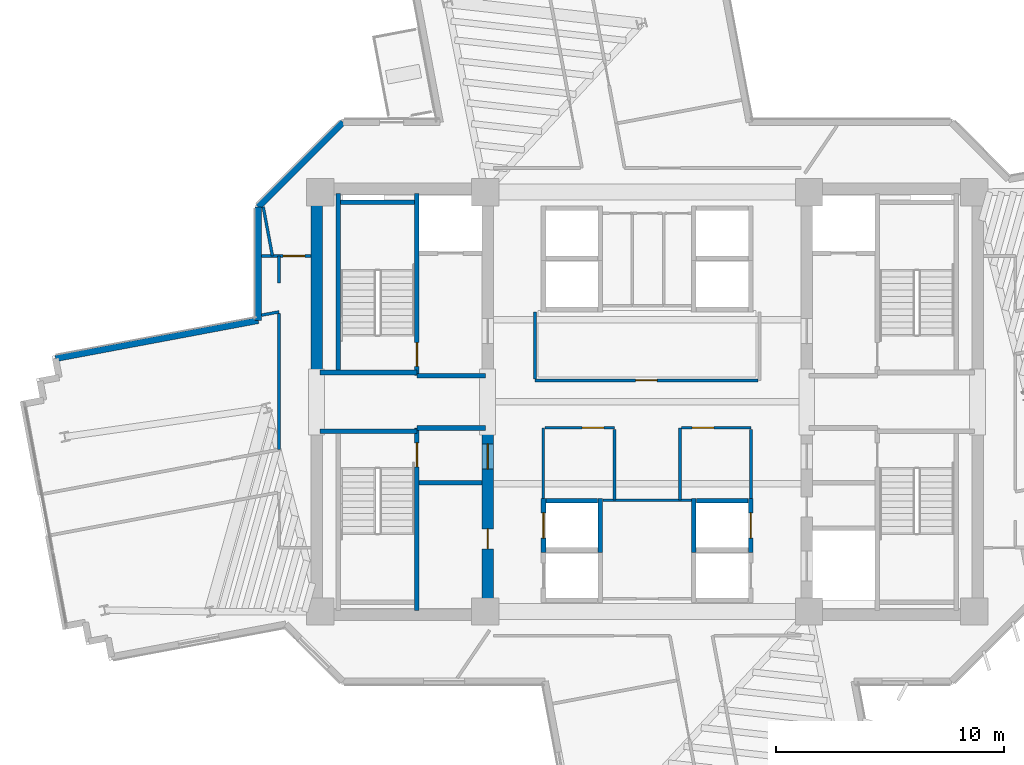
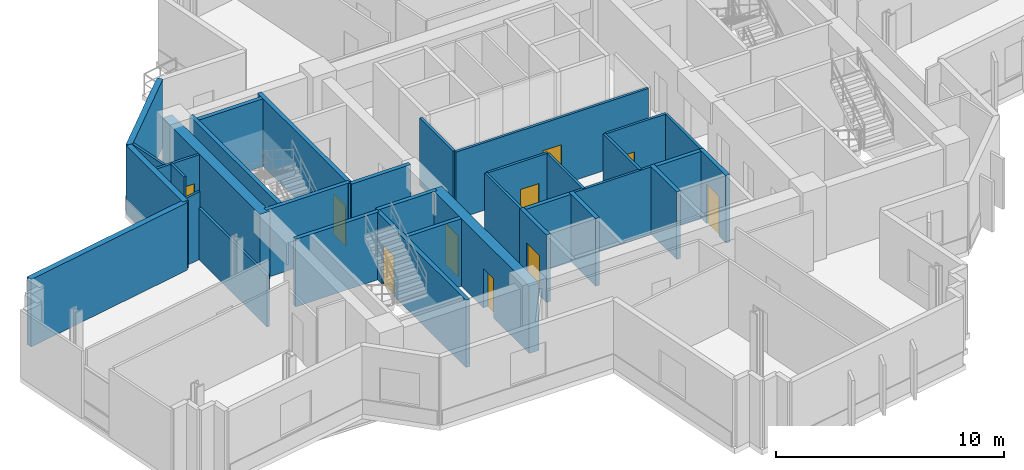
# One storey, part 9 of 16: 34 walls, 10 doors, 10 openings.
"""IFC4 building model written with IfcOpenShell, lengths in metres."""

from ifc_helpers import new_model, si_unit, direction, frame, frame_2d, origin, place, context, subcontext, project, spatial, rectangle, extrude, source, transform, mapped, material, layer, layer_set, type_object, element, fill, save


model = new_model("IFC4")

# Units and contexts
model_context = context("Model", 3, precision=1e-05, world=origin(), true_north=direction((0.0, 1.0)))
body_context = subcontext(model_context, "Body", "Model", "MODEL_VIEW")
ifc_project = project(units=[si_unit("LENGTHUNIT", "METRE"), si_unit("AREAUNIT", "SQUARE_METRE"), si_unit("VOLUMEUNIT", "CUBIC_METRE"), si_unit("PLANEANGLEUNIT", "RADIAN"), si_unit("MASSUNIT", "GRAM", prefix="KILO")], contexts=[model_context])

# Site, building, storey
site_placement = place(None, origin())
site = spatial("IfcSite", under=ifc_project, at=site_placement, CompositionType="ELEMENT")
building_placement = place(site_placement, origin())
building = spatial("IfcBuilding", under=site, at=building_placement, Name="Zahravan Cultural Tower", CompositionType="ELEMENT")
storey_placement = place(building_placement, frame((0.0, 0.0, 151.199951171875)))
storey = spatial("IfcBuildingStorey", under=building, at=storey_placement, Name="L34", CompositionType="ELEMENT", Elevation=151.199951171875)

# Wall, openings, doors
ifc_material_1 = material(Name="Concrete C60/75", Category="concrete")
ifc_layer_1 = layer(ifc_material_1, 0.5)
ifc_layer_set_1 = layer_set([ifc_layer_1], Name="Concrete C60/75")
wall_type_1 = type_object("IfcWallType", Name="CW-SHEAR-500-C60", PredefinedType="SHEAR", material=ifc_layer_set_1)
wall_1_placement = place(storey_placement, frame((29.0, 17.39990234375, 0.0), z_axis=(0.0, 0.0, 1.0), x_axis=(0.0, 1.0, 0.0)))
wall_1 = element("IfcWall", 1, at=wall_1_placement, inside=storey, type_object=wall_type_1, Name="L34 Core Shear Wall CW-W-ES-L34", PredefinedType="SHEAR", context=body_context, shape_type="SweptSolid", body=[
    extrude(rectangle(XDim=8.550048828125, YDim=0.5, at=frame_2d((4.27490234375, 0.0))), origin(), (0.0, 0.0, 1.0), 3.6201171875),
])
opening_1_placement = place(wall_1_placement, frame((6.64990234375, 0.0, 0.0)))
opening_1 = element("IfcOpeningElement", 2, at=opening_1_placement, cuts=wall_1, Name="Opening D-L34-07", PredefinedType="OPENING", context=body_context, shape_type="SweptSolid", body=[
    extrude(rectangle(XDim=1.10009765625, YDim=2.199951171875, at=frame_2d((0.550048828125, 1.10009765625))), frame((0.0, 0.260009765625, 0.0), z_axis=(0.0, -1.0, 0.0), x_axis=(1.0, 0.0, 0.0)), (0.0, 0.0, 1.0), 0.52001953125),
])
opening_2_placement = place(wall_1_placement, frame((3.14990234375, 0.0, 0.0)))
opening_2 = element("IfcOpeningElement", 3, at=opening_2_placement, cuts=wall_1, Name="Opening D-L34-09", PredefinedType="OPENING", context=body_context, shape_type="SweptSolid", body=[
    extrude(rectangle(XDim=0.8798828125, YDim=2.10009765625, at=frame_2d((0.43994140625, 1.050048828125))), frame((0.0, 0.260009765625, 0.0), z_axis=(0.0, -1.0, 0.0), x_axis=(1.0, 0.0, 0.0)), (0.0, 0.0, 1.0), 0.52001953125),
])
ifc_material_2 = material(Name="Steel ASTM A572 Grade 50", Category="steel")
door_type_1 = type_object("IfcDoorType", Name="DR-LOBBY-1100", OperationType="NOTDEFINED", PredefinedType="DOOR", material=ifc_material_2)
shared_shape_1 = source(origin(), body_context, "Body", "SweptSolid", [
    extrude(rectangle(XDim=1.10009765625, YDim=2.199951171875, at=frame_2d((0.550048828125, 1.10009765625))), frame((0.0, 0.02490234375, 0.0), z_axis=(0.0, -1.0, 0.0), x_axis=(1.0, 0.0, 0.0)), (0.0, 0.0, 1.0), 0.050048828125),
])
door_1_placement = place(opening_1_placement, origin())
door_1 = element("IfcDoor", 4, at=door_1_placement, inside=storey, type_object=door_type_1, Name="L34 Door D-L34-07", OperationType="SINGLE_SWING_RIGHT", OverallHeight=2.199951171875, OverallWidth=1.10009765625, PredefinedType="DOOR", context=body_context, shape_type="MappedRepresentation", body=[
    mapped(shared_shape_1, transform((0.0, 0.0, 0.0), x_axis=(1.0, 0.0, 0.0), y_axis=(0.0, 1.0, 0.0), z_axis=(0.0, 0.0, 1.0), scale=1.0)),
])
fill(opening_1, door_1)
door_type_2 = type_object("IfcDoorType", Name="DR-SVC-880", OperationType="NOTDEFINED", PredefinedType="DOOR", material=ifc_material_2)
shared_shape_2 = source(origin(), body_context, "Body", "SweptSolid", [
    extrude(rectangle(XDim=0.8798828125, YDim=2.10009765625, at=frame_2d((0.43994140625, 1.050048828125))), frame((0.0, 0.02490234375, 0.0), z_axis=(0.0, -1.0, 0.0), x_axis=(1.0, 0.0, 0.0)), (0.0, 0.0, 1.0), 0.050048828125),
])
door_2_placement = place(opening_2_placement, origin())
door_2 = element("IfcDoor", 5, at=door_2_placement, inside=storey, type_object=door_type_2, Name="L34 Door D-L34-09", OperationType="SINGLE_SWING_RIGHT", OverallHeight=2.10009765625, OverallWidth=0.8798828125, PredefinedType="DOOR", context=body_context, shape_type="MappedRepresentation", body=[
    mapped(shared_shape_2, transform((0.0, 0.0, 0.0), x_axis=(1.0, 0.0, 0.0), y_axis=(0.0, 1.0, 0.0), z_axis=(0.0, 0.0, 1.0), scale=1.0)),
])
fill(opening_2, door_2)

# Wall, opening, door
ifc_material_3 = material(Name="Gypsum plasterboard partition")
ifc_layer_2 = layer(ifc_material_3, 0.125)
ifc_layer_set_2 = layer_set([ifc_layer_2], Name="Gypsum plasterboard partition")
wall_type_2 = type_object("IfcWallType", Name="W-PART-125", PredefinedType="PARTITIONING", material=ifc_layer_set_2)
wall_2_placement = place(storey_placement, frame((21.2451171875, 33.39990234375, 0.0), z_axis=(0.0, 0.0, 1.0), x_axis=(-0.99999875384, -0.001578708001, 0.0)))
wall_2 = element("IfcWall", 6, at=wall_2_placement, inside=storey, type_object=wall_type_2, Name="L34 Interior Wall 064", PredefinedType="PARTITIONING", context=body_context, shape_type="SweptSolid", body=[
    extrude(rectangle(XDim=2.1650390625, YDim=0.125, at=frame_2d((1.08251953125, 0.0))), origin(), (0.0, 0.0, 1.0), 3.6201171875),
])
opening_3_placement = place(wall_2_placement, frame((0.267333984375, 0.0, 0.0)))
opening_3 = element("IfcOpeningElement", 7, at=opening_3_placement, cuts=wall_2, Name="Opening D-L34-24", PredefinedType="OPENING", context=body_context, shape_type="SweptSolid", body=[
    extrude(rectangle(XDim=0.949951171875, YDim=2.14990234375, at=frame_2d((0.47509765625, 1.074951171875))), frame((0.0, 0.072509765625, 0.0), z_axis=(0.0, -1.0, 0.0), x_axis=(1.0, 0.0, 0.0)), (0.0, 0.0, 1.0), 0.14501953125),
])
ifc_material_4 = material(Name="Anodised bronze-aluminium mullion", Category="aluminium")
door_type_3 = type_object("IfcDoorType", Name="DR-ROOM-950", OperationType="NOTDEFINED", PredefinedType="DOOR", material=ifc_material_4)
shared_shape_3 = source(origin(), body_context, "Body", "SweptSolid", [
    extrude(rectangle(XDim=0.949951171875, YDim=2.14990234375, at=frame_2d((0.47509765625, 1.074951171875))), frame((0.0, 0.02490234375, 0.0), z_axis=(0.0, -1.0, 0.0), x_axis=(1.0, 0.0, 0.0)), (0.0, 0.0, 1.0), 0.050048828125),
])
door_3_placement = place(opening_3_placement, origin())
door_3 = element("IfcDoor", 8, at=door_3_placement, inside=storey, type_object=door_type_3, Name="L34 Door D-L34-24", OperationType="SINGLE_SWING_LEFT", OverallHeight=2.14990234375, OverallWidth=0.949951171875, PredefinedType="DOOR", context=body_context, shape_type="MappedRepresentation", body=[
    mapped(shared_shape_3, transform((0.0, 0.0, 0.0), x_axis=(1.0, 0.0, 0.0), y_axis=(0.0, 1.0, 0.0), z_axis=(0.0, 0.0, 1.0), scale=1.0)),
])
fill(opening_3, door_3)

wall_3_placement = place(storey_placement, frame((31.507568359375, 25.860107421875, 0.0), z_axis=(0.0, 0.0, 1.0), x_axis=(1.0, 0.0, 0.0)))
wall_3 = element("IfcWall", 9, at=wall_3_placement, inside=storey, type_object=wall_type_2, Name="L34 Interior Wall 069", PredefinedType="PARTITIONING", context=body_context, shape_type="SweptSolid", body=[
    extrude(rectangle(XDim=3.052490234375, YDim=0.125, at=frame_2d((1.5263671875, 0.0))), origin(), (0.0, 0.0, 1.0), 3.6201171875),
])
opening_4_placement = place(wall_3_placement, frame((1.639892578125, 0.0, 0.0)))
opening_4 = element("IfcOpeningElement", 10, at=opening_4_placement, cuts=wall_3, Name="Opening D-L34-11", PredefinedType="OPENING", context=body_context, shape_type="SweptSolid", body=[
    extrude(rectangle(XDim=0.949951171875, YDim=2.14990234375, at=frame_2d((0.47509765625, 1.074951171875))), frame((0.0, 0.072509765625, 0.0), z_axis=(0.0, -1.0, 0.0), x_axis=(1.0, 0.0, 0.0)), (0.0, 0.0, 1.0), 0.14501953125),
])
door_4_placement = place(opening_4_placement, origin())
door_4 = element("IfcDoor", 11, at=door_4_placement, inside=storey, type_object=door_type_3, Name="L34 Door D-L34-11", OperationType="SINGLE_SWING_RIGHT", OverallHeight=2.14990234375, OverallWidth=0.949951171875, PredefinedType="DOOR", context=body_context, shape_type="MappedRepresentation", body=[
    mapped(shared_shape_3, transform((0.0, 0.0, 0.0), x_axis=(1.0, 0.0, 0.0), y_axis=(0.0, 1.0, 0.0), z_axis=(0.0, 0.0, 1.0), scale=1.0)),
])
fill(opening_4, door_4)

wall_4_placement = place(storey_placement, frame((37.507568359375, 25.860107421875, 0.0), z_axis=(0.0, 0.0, 1.0), x_axis=(1.0, 0.0, 0.0)))
wall_4 = element("IfcWall", 12, at=wall_4_placement, inside=storey, type_object=wall_type_2, Name="L34 Interior Wall 072", PredefinedType="PARTITIONING", context=body_context, shape_type="SweptSolid", body=[
    extrude(rectangle(XDim=3.052490234375, YDim=0.125, at=frame_2d((1.5263671875, 0.0))), origin(), (0.0, 0.0, 1.0), 3.6201171875),
])
opening_5_placement = place(wall_4_placement, frame((0.462646484375, 0.0, 0.0)))
opening_5 = element("IfcOpeningElement", 13, at=opening_5_placement, cuts=wall_4, Name="Opening D-L34-12", PredefinedType="OPENING", context=body_context, shape_type="SweptSolid", body=[
    extrude(rectangle(XDim=0.949951171875, YDim=2.14990234375, at=frame_2d((0.47509765625, 1.074951171875))), frame((0.0, 0.072509765625, 0.0), z_axis=(0.0, -1.0, 0.0), x_axis=(1.0, 0.0, 0.0)), (0.0, 0.0, 1.0), 0.14501953125),
])
door_5_placement = place(opening_5_placement, origin())
door_5 = element("IfcDoor", 14, at=door_5_placement, inside=storey, type_object=door_type_3, Name="L34 Door D-L34-12", OperationType="SINGLE_SWING_LEFT", OverallHeight=2.14990234375, OverallWidth=0.949951171875, PredefinedType="DOOR", context=body_context, shape_type="MappedRepresentation", body=[
    mapped(shared_shape_3, transform((0.0, 0.0, 0.0), x_axis=(1.0, 0.0, 0.0), y_axis=(0.0, 1.0, 0.0), z_axis=(0.0, 0.0, 1.0), scale=1.0)),
])
fill(opening_5, door_5)

wall_5_placement = place(storey_placement, frame((40.8525390625, 27.93994140625, 0.0), z_axis=(0.0, 0.0, 1.0), x_axis=(-1.0, 0.0, 0.0)))
wall_5 = element("IfcWall", 15, at=wall_5_placement, inside=storey, type_object=wall_type_2, Name="L34 Interior Wall 085", PredefinedType="PARTITIONING", context=body_context, shape_type="SweptSolid", body=[
    extrude(rectangle(XDim=9.7724609375, YDim=0.125, at=frame_2d((4.88623046875, 0.0))), origin(), (0.0, 0.0, 1.0), 3.6201171875),
])
opening_6_placement = place(wall_5_placement, frame((4.411376953125, 0.0, 0.0)))
opening_6 = element("IfcOpeningElement", 16, at=opening_6_placement, cuts=wall_5, Name="Opening D-L34-16", PredefinedType="OPENING", context=body_context, shape_type="SweptSolid", body=[
    extrude(rectangle(XDim=0.949951171875, YDim=2.14990234375, at=frame_2d((0.47509765625, 1.074951171875))), frame((0.0, 0.072509765625, 0.0), z_axis=(0.0, -1.0, 0.0), x_axis=(1.0, 0.0, 0.0)), (0.0, 0.0, 1.0), 0.14501953125),
])
door_6_placement = place(opening_6_placement, origin())
door_6 = element("IfcDoor", 17, at=door_6_placement, inside=storey, type_object=door_type_3, Name="L34 Door D-L34-16", OperationType="SINGLE_SWING_LEFT", OverallHeight=2.14990234375, OverallWidth=0.949951171875, PredefinedType="DOOR", context=body_context, shape_type="MappedRepresentation", body=[
    mapped(shared_shape_3, transform((0.0, 0.0, 0.0), x_axis=(1.0, 0.0, 0.0), y_axis=(0.0, 1.0, 0.0), z_axis=(0.0, 0.0, 1.0), scale=1.0)),
])
fill(opening_6, door_6)

ifc_material_5 = material(Name="Concrete C45/55", Category="concrete")
ifc_layer_3 = layer(ifc_material_5, 0.199951171875)
ifc_layer_set_3 = layer_set([ifc_layer_3], Name="Concrete C45/55")
wall_type_3 = type_object("IfcWallType", Name="W-SHAFT-200", PredefinedType="SOLIDWALL", material=ifc_layer_set_3)
wall_6_placement = place(storey_placement, frame((25.89990234375, 17.85009765625, 0.0), z_axis=(0.0, 0.0, 1.0), x_axis=(0.0, 1.0, 0.0)))
wall_6 = element("IfcWall", 18, at=wall_6_placement, inside=storey, type_object=wall_type_3, Name="L34 Interior Wall 005", PredefinedType="SOLIDWALL", context=body_context, shape_type="SweptSolid", body=[
    extrude(rectangle(XDim=8.0, YDim=0.199951171875, at=frame_2d((4.0, 0.0))), origin(), (0.0, 0.0, 1.0), 3.6201171875),
])
opening_7_placement = place(wall_6_placement, frame((6.300048828125, 0.0, 0.0)))
opening_7 = element("IfcOpeningElement", 19, at=opening_7_placement, cuts=wall_6, Name="Opening D-L34-04", PredefinedType="OPENING", context=body_context, shape_type="SweptSolid", body=[
    extrude(rectangle(XDim=1.050048828125, YDim=2.14990234375, at=frame_2d((0.52490234375, 1.074951171875))), frame((0.0, 0.10986328125, 0.0), z_axis=(0.0, -1.0, 0.0), x_axis=(1.0, 0.0, 0.0)), (0.0, 0.0, 1.0), 0.219970703125),
])
door_type_4 = type_object("IfcDoorType", Name="DR-STAIR-1050", OperationType="NOTDEFINED", PredefinedType="DOOR", material=ifc_material_2)
shared_shape_4 = source(origin(), body_context, "Body", "SweptSolid", [
    extrude(rectangle(XDim=1.050048828125, YDim=2.14990234375, at=frame_2d((0.52490234375, 1.074951171875))), frame((0.0, 0.02490234375, 0.0), z_axis=(0.0, -1.0, 0.0), x_axis=(1.0, 0.0, 0.0)), (0.0, 0.0, 1.0), 0.050048828125),
])
door_7_placement = place(opening_7_placement, origin())
door_7 = element("IfcDoor", 20, at=door_7_placement, inside=storey, type_object=door_type_4, Name="L34 Door D-L34-04", OperationType="SINGLE_SWING_LEFT", OverallHeight=2.14990234375, OverallWidth=1.050048828125, PredefinedType="DOOR", context=body_context, shape_type="MappedRepresentation", body=[
    mapped(shared_shape_4, transform((0.0, 0.0, 0.0), x_axis=(1.0, 0.0, 0.0), y_axis=(0.0, 1.0, 0.0), z_axis=(0.0, 0.0, 1.0), scale=1.0)),
])
fill(opening_7, door_7)

wall_7_placement = place(storey_placement, frame((25.89990234375, 28.14990234375, 0.0), z_axis=(0.0, 0.0, 1.0), x_axis=(0.0, 1.0, 0.0)))
wall_7 = element("IfcWall", 21, at=wall_7_placement, inside=storey, type_object=wall_type_3, Name="L34 Interior Wall 006", PredefinedType="SOLIDWALL", context=body_context, shape_type="SweptSolid", body=[
    extrude(rectangle(XDim=8.0, YDim=0.199951171875, at=frame_2d((4.0, 0.0))), origin(), (0.0, 0.0, 1.0), 3.6201171875),
])
opening_8_placement = place(wall_7_placement, frame((0.39990234375, 0.0, 0.0)))
opening_8 = element("IfcOpeningElement", 22, at=opening_8_placement, cuts=wall_7, Name="Opening D-L34-01", PredefinedType="OPENING", context=body_context, shape_type="SweptSolid", body=[
    extrude(rectangle(XDim=1.050048828125, YDim=2.14990234375, at=frame_2d((0.52490234375, 1.074951171875))), frame((0.0, 0.10986328125, 0.0), z_axis=(0.0, -1.0, 0.0), x_axis=(1.0, 0.0, 0.0)), (0.0, 0.0, 1.0), 0.219970703125),
])
door_8_placement = place(opening_8_placement, origin())
door_8 = element("IfcDoor", 23, at=door_8_placement, inside=storey, type_object=door_type_4, Name="L34 Door D-L34-01", OperationType="SINGLE_SWING_RIGHT", OverallHeight=2.14990234375, OverallWidth=1.050048828125, PredefinedType="DOOR", context=body_context, shape_type="MappedRepresentation", body=[
    mapped(shared_shape_4, transform((0.0, 0.0, 0.0), x_axis=(1.0, 0.0, 0.0), y_axis=(0.0, 1.0, 0.0), z_axis=(0.0, 0.0, 1.0), scale=1.0)),
])
fill(opening_8, door_8)

wall_8_placement = place(storey_placement, frame((31.449951171875, 20.39990234375, 0.0), z_axis=(0.0, 0.0, 1.0), x_axis=(0.0, 1.0, 0.0)))
wall_8 = element("IfcWall", 24, at=wall_8_placement, inside=storey, type_object=wall_type_3, Name="L34 Interior Wall 040", PredefinedType="SOLIDWALL", context=body_context, shape_type="SweptSolid", body=[
    extrude(rectangle(XDim=2.35009765625, YDim=0.199951171875, at=frame_2d((1.175048828125, 0.0))), origin(), (0.0, 0.0, 1.0), 3.6201171875),
])
opening_9_placement = place(wall_8_placement, frame((0.625, 0.0, 0.0)))
opening_9 = element("IfcOpeningElement", 25, at=opening_9_placement, cuts=wall_8, Name="Opening LD-L34-04", PredefinedType="OPENING", context=body_context, shape_type="SweptSolid", body=[
    extrude(rectangle(XDim=1.10009765625, YDim=2.14990234375, at=frame_2d((0.550048828125, 1.074951171875))), frame((0.0, 0.10986328125, 0.0), z_axis=(0.0, -1.0, 0.0), x_axis=(1.0, 0.0, 0.0)), (0.0, 0.0, 1.0), 0.219970703125),
])
door_type_5 = type_object("IfcDoorType", Name="DR-LIFT-1100", OperationType="DOUBLE_DOOR_SLIDING", PredefinedType="DOOR", material=ifc_material_2)
shared_shape_5 = source(origin(), body_context, "Body", "SweptSolid", [
    extrude(rectangle(XDim=1.10009765625, YDim=2.14990234375, at=frame_2d((0.550048828125, 1.074951171875))), frame((0.0, 0.02490234375, 0.0), z_axis=(0.0, -1.0, 0.0), x_axis=(1.0, 0.0, 0.0)), (0.0, 0.0, 1.0), 0.050048828125),
])
door_9_placement = place(opening_9_placement, origin())
door_9 = element("IfcDoor", 26, at=door_9_placement, inside=storey, type_object=door_type_5, Name="L34 Door LD-L34-04", OperationType="DOUBLE_DOOR_SLIDING", OverallHeight=2.14990234375, OverallWidth=1.10009765625, PredefinedType="DOOR", context=body_context, shape_type="MappedRepresentation", body=[
    mapped(shared_shape_5, transform((0.0, 0.0, 0.0), x_axis=(1.0, 0.0, 0.0), y_axis=(0.0, 1.0, 0.0), z_axis=(0.0, 0.0, 1.0), scale=1.0)),
])
fill(opening_9, door_9)

wall_9_placement = place(storey_placement, frame((40.550048828125, 20.39990234375, 0.0), z_axis=(0.0, 0.0, 1.0), x_axis=(0.0, 1.0, 0.0)))
wall_9 = element("IfcWall", 27, at=wall_9_placement, inside=storey, type_object=wall_type_3, Name="L34 Interior Wall 048", PredefinedType="SOLIDWALL", context=body_context, shape_type="SweptSolid", body=[
    extrude(rectangle(XDim=2.35009765625, YDim=0.199951171875, at=frame_2d((1.175048828125, 0.0))), origin(), (0.0, 0.0, 1.0), 3.6201171875),
])
opening_10_placement = place(wall_9_placement, frame((0.625, 0.0, 0.0)))
opening_10 = element("IfcOpeningElement", 28, at=opening_10_placement, cuts=wall_9, Name="Opening LD-L34-06", PredefinedType="OPENING", context=body_context, shape_type="SweptSolid", body=[
    extrude(rectangle(XDim=1.10009765625, YDim=2.14990234375, at=frame_2d((0.550048828125, 1.074951171875))), frame((0.0, 0.10986328125, 0.0), z_axis=(0.0, -1.0, 0.0), x_axis=(1.0, 0.0, 0.0)), (0.0, 0.0, 1.0), 0.219970703125),
])
door_10_placement = place(opening_10_placement, origin())
door_10 = element("IfcDoor", 29, at=door_10_placement, inside=storey, type_object=door_type_5, Name="L34 Door LD-L34-06", OperationType="DOUBLE_DOOR_SLIDING", OverallHeight=2.14990234375, OverallWidth=1.10009765625, PredefinedType="DOOR", context=body_context, shape_type="MappedRepresentation", body=[
    mapped(shared_shape_5, transform((0.0, 0.0, 0.0), x_axis=(1.0, 0.0, 0.0), y_axis=(0.0, 1.0, 0.0), z_axis=(0.0, 0.0, 1.0), scale=1.0)),
])
fill(opening_10, door_10)

# Walls
shared_shape_6 = source(origin(), body_context, "Body", "SweptSolid", [
    extrude(rectangle(XDim=8.550048828125, YDim=0.5, at=frame_2d((4.27490234375, 0.0))), origin(), (0.0, 0.0, 1.0), 3.6201171875),
])
wall_10_placement = place(storey_placement, frame((21.5, 28.050048828125, 0.0), z_axis=(0.0, 0.0, 1.0), x_axis=(0.0, 1.0, 0.0)))
element("IfcWall", 30, at=wall_10_placement, inside=storey, type_object=wall_type_1, Name="L34 Core Shear Wall CW-W-WN-L34", PredefinedType="SHEAR", context=body_context, shape_type="MappedRepresentation", body=[
    mapped(shared_shape_6, transform((0.0, 0.0, 0.0), x_axis=(1.0, 0.0, 0.0), y_axis=(0.0, 1.0, 0.0), z_axis=(0.0, 0.0, 1.0), scale=1.0)),
])
ifc_material_6 = material(Name="Precast concrete C40/50", Category="concrete")
ifc_layer_4 = layer(ifc_material_6, 0.280029296875)
ifc_layer_set_4 = layer_set([ifc_layer_4], Name="Precast concrete C40/50")
wall_type_4 = type_object("IfcWallType", Name="EW-TC-280", PredefinedType="SOLIDWALL", material=ifc_layer_set_4)
shared_shape_7 = source(origin(), body_context, "Body", "SweptSolid", [
    extrude(rectangle(XDim=5.258056640625, YDim=0.280029296875, at=frame_2d((2.62890625, 0.0))), origin(), (0.0, 0.0, 1.0), 3.6201171875),
])
wall_11_placement = place(storey_placement, frame((18.93994140625, 35.5419921875, 0.0), z_axis=(0.0, 0.0, 1.0), x_axis=(0.707106781187, 0.707106781187, 0.0)))
element("IfcWall", 31, at=wall_11_placement, inside=storey, type_object=wall_type_4, Name="L34 Exterior Masonry Frame Wall 38", PredefinedType="SOLIDWALL", context=body_context, shape_type="MappedRepresentation", body=[
    mapped(shared_shape_7, transform((0.0, 0.0, 0.0), x_axis=(1.0, 0.0, 0.0), y_axis=(0.0, 1.0, 0.0), z_axis=(0.0, 0.0, 1.0), scale=1.0)),
])
shared_shape_8 = source(origin(), body_context, "Body", "SweptSolid", [
    extrude(rectangle(XDim=4.970458984375, YDim=0.280029296875, at=frame_2d((2.4853515625, 0.0))), origin(), (0.0, 0.0, 1.0), 3.6201171875),
])
wall_12_placement = place(storey_placement, frame((18.93994140625, 30.571533203125, 0.0), z_axis=(0.0, 0.0, 1.0), x_axis=(0.0, 1.0, 0.0)))
element("IfcWall", 32, at=wall_12_placement, inside=storey, type_object=wall_type_4, Name="L34 Exterior Masonry Frame Wall 37", PredefinedType="SOLIDWALL", context=body_context, shape_type="MappedRepresentation", body=[
    mapped(shared_shape_8, transform((0.0, 0.0, 0.0), x_axis=(1.0, 0.0, 0.0), y_axis=(0.0, 1.0, 0.0), z_axis=(0.0, 0.0, 1.0), scale=1.0)),
])
shared_shape_9 = source(origin(), body_context, "Body", "SweptSolid", [
    extrude(rectangle(XDim=9.052490234375, YDim=0.280029296875, at=frame_2d((4.5263671875, 0.0))), origin(), (0.0, 0.0, 1.0), 3.6201171875),
])
wall_13_placement = place(storey_placement, frame((10.04296875, 28.900146484375, 0.0), z_axis=(0.0, 0.0, 1.0), x_axis=(0.982808012228, 0.184630471755, 0.0)))
element("IfcWall", 33, at=wall_13_placement, inside=storey, type_object=wall_type_4, Name="L34 Exterior Masonry Frame Wall 36", PredefinedType="SOLIDWALL", context=body_context, shape_type="MappedRepresentation", body=[
    mapped(shared_shape_9, transform((0.0, 0.0, 0.0), x_axis=(1.0, 0.0, 0.0), y_axis=(0.0, 1.0, 0.0), z_axis=(0.0, 0.0, 1.0), scale=1.0)),
])
shared_shape_10 = source(origin(), body_context, "Body", "SweptSolid", [
    extrude(rectangle(XDim=7.869873046875, YDim=0.199951171875, at=frame_2d((3.93505859375, 0.0))), origin(), (0.0, 0.0, 1.0), 3.6201171875),
])
wall_14_placement = place(storey_placement, frame((22.449951171875, 28.280029296875, 0.0), z_axis=(0.0, 0.0, 1.0), x_axis=(0.0, 1.0, 0.0)))
element("IfcWall", 34, at=wall_14_placement, inside=storey, type_object=wall_type_3, Name="L34 Interior Wall 002", PredefinedType="SOLIDWALL", context=body_context, shape_type="MappedRepresentation", body=[
    mapped(shared_shape_10, transform((0.0, 0.0, 0.0), x_axis=(1.0, 0.0, 0.0), y_axis=(0.0, 1.0, 0.0), z_axis=(0.0, 0.0, 1.0), scale=1.0)),
])
shared_shape_11 = source(origin(), body_context, "Body", "SweptSolid", [
    extrude(rectangle(XDim=4.25, YDim=0.199951171875, at=frame_2d((2.125, 0.0))), origin(), (0.0, 0.0, 1.0), 3.6201171875),
])
for number, where, z_axis, x_axis, name in (
    (35, (21.64990234375, 25.715087890625, 0.0), (0.0, 0.0, 1.0), (1.0, 0.0, 0.0), "L34 Interior Wall 009"),
    (36, (21.64990234375, 28.284912109375, 0.0), (0.0, 0.0, 1.0), (1.0, 0.0, 0.0), "L34 Interior Wall 011"),
):
    element("IfcWall", number, at=place(storey_placement, frame(where, z_axis=z_axis, x_axis=x_axis)), inside=storey, type_object=wall_type_3, Name=name, PredefinedType="SOLIDWALL", context=body_context, shape_type="MappedRepresentation", body=[
        mapped(shared_shape_11, transform((0.0, 0.0, 0.0), x_axis=(1.0, 0.0, 0.0), y_axis=(0.0, 1.0, 0.0), z_axis=(0.0, 0.0, 1.0), scale=1.0)),
    ])
shared_shape_12 = source(origin(), body_context, "Body", "SweptSolid", [
    extrude(rectangle(XDim=3.0, YDim=0.199951171875, at=frame_2d((1.5, 0.0))), origin(), (0.0, 0.0, 1.0), 3.6201171875),
])
for number, where, z_axis, x_axis, name in (
    (37, (25.89990234375, 25.85009765625, 0.0), (0.0, 0.0, 1.0), (1.0, 0.0, 0.0), "L34 Interior Wall 010"),
    (38, (25.89990234375, 28.14990234375, 0.0), (0.0, 0.0, 1.0), (1.0, 0.0, 0.0), "L34 Interior Wall 012"),
):
    element("IfcWall", number, at=place(storey_placement, frame(where, z_axis=z_axis, x_axis=x_axis)), inside=storey, type_object=wall_type_3, Name=name, PredefinedType="SOLIDWALL", context=body_context, shape_type="MappedRepresentation", body=[
        mapped(shared_shape_12, transform((0.0, 0.0, 0.0), x_axis=(1.0, 0.0, 0.0), y_axis=(0.0, 1.0, 0.0), z_axis=(0.0, 0.0, 1.0), scale=1.0)),
    ])
shared_shape_13 = source(origin(), body_context, "Body", "SweptSolid", [
    extrude(rectangle(XDim=3.25, YDim=0.199951171875, at=frame_2d((1.625, 0.0))), origin(), (0.0, 0.0, 1.0), 3.6201171875),
])
wall_15_placement = place(storey_placement, frame((22.550048828125, 35.75, 0.0), z_axis=(0.0, 0.0, 1.0), x_axis=(1.0, 0.0, 0.0)))
element("IfcWall", 39, at=wall_15_placement, inside=storey, type_object=wall_type_3, Name="L34 Interior Wall 017", PredefinedType="SOLIDWALL", context=body_context, shape_type="MappedRepresentation", body=[
    mapped(shared_shape_13, transform((0.0, 0.0, 0.0), x_axis=(1.0, 0.0, 0.0), y_axis=(0.0, 1.0, 0.0), z_axis=(0.0, 0.0, 1.0), scale=1.0)),
])
shared_shape_14 = source(origin(), body_context, "Body", "SweptSolid", [
    extrude(rectangle(XDim=2.75, YDim=0.199951171875, at=frame_2d((1.375, 0.0))), origin(), (0.0, 0.0, 1.0), 3.6201171875),
])
wall_16_placement = place(storey_placement, frame((26.0, 23.449951171875, 0.0), z_axis=(0.0, 0.0, 1.0), x_axis=(1.0, 0.0, 0.0)))
element("IfcWall", 40, at=wall_16_placement, inside=storey, type_object=wall_type_3, Name="L34 Interior Wall 023", PredefinedType="SOLIDWALL", context=body_context, shape_type="MappedRepresentation", body=[
    mapped(shared_shape_14, transform((0.0, 0.0, 0.0), x_axis=(1.0, 0.0, 0.0), y_axis=(0.0, 1.0, 0.0), z_axis=(0.0, 0.0, 1.0), scale=1.0)),
])
shared_shape_15 = source(origin(), body_context, "Body", "SweptSolid", [
    extrude(rectangle(XDim=2.260009765625, YDim=0.199951171875, at=frame_2d((1.1298828125, 0.0))), origin(), (0.0, 0.0, 1.0), 3.6201171875),
])
for number, where, z_axis, x_axis, name in (
    (41, (31.570068359375, 22.64990234375, 0.0), (0.0, 0.0, 1.0), (1.0, 0.0, 0.0), "L34 Interior Wall 043"),
    (42, (38.169921875, 22.64990234375, 0.0), (0.0, 0.0, 1.0), (1.0, 0.0, 0.0), "L34 Interior Wall 050"),
):
    element("IfcWall", number, at=place(storey_placement, frame(where, z_axis=z_axis, x_axis=x_axis)), inside=storey, type_object=wall_type_3, Name=name, PredefinedType="SOLIDWALL", context=body_context, shape_type="MappedRepresentation", body=[
        mapped(shared_shape_15, transform((0.0, 0.0, 0.0), x_axis=(1.0, 0.0, 0.0), y_axis=(0.0, 1.0, 0.0), z_axis=(0.0, 0.0, 1.0), scale=1.0)),
    ])
shared_shape_16 = source(origin(), body_context, "Body", "SweptSolid", [
    extrude(rectangle(XDim=2.35009765625, YDim=0.199951171875, at=frame_2d((1.175048828125, 0.0))), origin(), (0.0, 0.0, 1.0), 3.6201171875),
])
for number, where, z_axis, x_axis, name in (
    (43, (33.949951171875, 20.39990234375, 0.0), (0.0, 0.0, 1.0), (0.0, 1.0, 0.0), "L34 Interior Wall 041"),
    (44, (38.050048828125, 20.39990234375, 0.0), (0.0, 0.0, 1.0), (0.0, 1.0, 0.0), "L34 Interior Wall 047"),
):
    element("IfcWall", number, at=place(storey_placement, frame(where, z_axis=z_axis, x_axis=x_axis)), inside=storey, type_object=wall_type_3, Name=name, PredefinedType="SOLIDWALL", context=body_context, shape_type="MappedRepresentation", body=[
        mapped(shared_shape_16, transform((0.0, 0.0, 0.0), x_axis=(1.0, 0.0, 0.0), y_axis=(0.0, 1.0, 0.0), z_axis=(0.0, 0.0, 1.0), scale=1.0)),
    ])
shared_shape_17 = source(origin(), body_context, "Body", "SweptSolid", [
    extrude(rectangle(XDim=1.194580078125, YDim=0.125, at=frame_2d((0.59716796875, 0.0))), origin(), (0.0, 0.0, 1.0), 3.6201171875),
])
wall_17_placement = place(storey_placement, frame((19.851318359375, 33.397705078125, 0.0), z_axis=(0.0, 0.0, 1.0), x_axis=(-0.001021867441, -0.999999477893, 0.0)))
element("IfcWall", 45, at=wall_17_placement, inside=storey, type_object=wall_type_2, Name="L34 Interior Wall 062", PredefinedType="PARTITIONING", context=body_context, shape_type="MappedRepresentation", body=[
    mapped(shared_shape_17, transform((0.0, 0.0, 0.0), x_axis=(1.0, 0.0, 0.0), y_axis=(0.0, 1.0, 0.0), z_axis=(0.0, 0.0, 1.0), scale=1.0)),
])
shared_shape_18 = source(origin(), body_context, "Body", "SweptSolid", [
    extrude(rectangle(XDim=2.19189453125, YDim=0.125, at=frame_2d((1.095947265625, 0.0))), origin(), (0.0, 0.0, 1.0), 3.6201171875),
])
wall_18_placement = place(storey_placement, frame((19.56005859375, 33.39794921875, 0.0), z_axis=(0.0, 0.0, 1.0), x_axis=(-0.184665106031, 0.982801505196, 0.0)))
element("IfcWall", 46, at=wall_18_placement, inside=storey, type_object=wall_type_2, Name="L34 Interior Wall 063", PredefinedType="PARTITIONING", context=body_context, shape_type="MappedRepresentation", body=[
    mapped(shared_shape_18, transform((0.0, 0.0, 0.0), x_axis=(1.0, 0.0, 0.0), y_axis=(0.0, 1.0, 0.0), z_axis=(0.0, 0.0, 1.0), scale=1.0)),
])
shared_shape_19 = source(origin(), body_context, "Body", "SweptSolid", [
    extrude(rectangle(XDim=3.110107421875, YDim=0.125, at=frame_2d((1.55517578125, 0.0))), origin(), (0.0, 0.0, 1.0), 3.6201171875),
])
wall_19_placement = place(storey_placement, frame((31.43994140625, 22.75, 0.0), z_axis=(0.0, 0.0, 1.0), x_axis=(0.0, 1.0, 0.0)))
element("IfcWall", 47, at=wall_19_placement, inside=storey, type_object=wall_type_2, Name="L34 Interior Wall 068", PredefinedType="PARTITIONING", context=body_context, shape_type="MappedRepresentation", body=[
    mapped(shared_shape_19, transform((0.0, 0.0, 0.0), x_axis=(1.0, 0.0, 0.0), y_axis=(0.0, 1.0, 0.0), z_axis=(0.0, 0.0, 1.0), scale=1.0)),
])
shared_shape_20 = source(origin(), body_context, "Body", "SweptSolid", [
    extrude(rectangle(XDim=3.1025390625, YDim=0.125, at=frame_2d((1.55126953125, 0.0))), origin(), (0.0, 0.0, 1.0), 3.6201171875),
])
wall_20_placement = place(storey_placement, frame((34.56005859375, 25.79248046875, 0.0), z_axis=(0.0, 0.0, 1.0), x_axis=(0.0, -1.0, 0.0)))
element("IfcWall", 48, at=wall_20_placement, inside=storey, type_object=wall_type_2, Name="L34 Interior Wall 070", PredefinedType="PARTITIONING", context=body_context, shape_type="MappedRepresentation", body=[
    mapped(shared_shape_20, transform((0.0, 0.0, 0.0), x_axis=(1.0, 0.0, 0.0), y_axis=(0.0, 1.0, 0.0), z_axis=(0.0, 0.0, 1.0), scale=1.0)),
])
shared_shape_21 = source(origin(), body_context, "Body", "SweptSolid", [
    extrude(rectangle(XDim=3.170166015625, YDim=0.125, at=frame_2d((1.5849609375, 0.0))), origin(), (0.0, 0.0, 1.0), 3.6201171875),
])
wall_21_placement = place(storey_placement, frame((37.43994140625, 22.68994140625, 0.0), z_axis=(0.0, 0.0, 1.0), x_axis=(0.0, 1.0, 0.0)))
element("IfcWall", 49, at=wall_21_placement, inside=storey, type_object=wall_type_2, Name="L34 Interior Wall 071", PredefinedType="PARTITIONING", context=body_context, shape_type="MappedRepresentation", body=[
    mapped(shared_shape_21, transform((0.0, 0.0, 0.0), x_axis=(1.0, 0.0, 0.0), y_axis=(0.0, 1.0, 0.0), z_axis=(0.0, 0.0, 1.0), scale=1.0)),
])
shared_shape_22 = source(origin(), body_context, "Body", "SweptSolid", [
    extrude(rectangle(XDim=3.04248046875, YDim=0.125, at=frame_2d((1.521240234375, 0.0))), origin(), (0.0, 0.0, 1.0), 3.6201171875),
])
wall_22_placement = place(storey_placement, frame((40.56005859375, 25.79248046875, 0.0), z_axis=(0.0, 0.0, 1.0), x_axis=(0.0, -1.0, 0.0)))
element("IfcWall", 50, at=wall_22_placement, inside=storey, type_object=wall_type_2, Name="L34 Interior Wall 073", PredefinedType="PARTITIONING", context=body_context, shape_type="MappedRepresentation", body=[
    mapped(shared_shape_22, transform((0.0, 0.0, 0.0), x_axis=(1.0, 0.0, 0.0), y_axis=(0.0, 1.0, 0.0), z_axis=(0.0, 0.0, 1.0), scale=1.0)),
])
shared_shape_23 = source(origin(), body_context, "Body", "SweptSolid", [
    extrude(rectangle(XDim=3.89013671875, YDim=0.125, at=frame_2d((1.945068359375, 0.0))), origin(), (0.0, 0.0, 1.0), 3.6201171875),
])
wall_23_placement = place(storey_placement, frame((34.054931640625, 22.679931640625, 0.0), z_axis=(0.0, 0.0, 1.0), x_axis=(1.0, 0.0, 0.0)))
element("IfcWall", 51, at=wall_23_placement, inside=storey, type_object=wall_type_2, Name="L34 Interior Wall 074", PredefinedType="PARTITIONING", context=body_context, shape_type="MappedRepresentation", body=[
    mapped(shared_shape_23, transform((0.0, 0.0, 0.0), x_axis=(1.0, 0.0, 0.0), y_axis=(0.0, 1.0, 0.0), z_axis=(0.0, 0.0, 1.0), scale=1.0)),
])
shared_shape_24 = source(origin(), body_context, "Body", "SweptSolid", [
    extrude(rectangle(XDim=2.9423828125, YDim=0.125, at=frame_2d((1.47119140625, 0.0))), origin(), (0.0, 0.0, 1.0), 3.6201171875),
])
wall_24_placement = place(storey_placement, frame((31.080078125, 28.007568359375, 0.0), z_axis=(0.0, 0.0, 1.0), x_axis=(0.0, 1.0, 0.0)))
element("IfcWall", 52, at=wall_24_placement, inside=storey, type_object=wall_type_2, Name="L34 Interior Wall 086", PredefinedType="PARTITIONING", context=body_context, shape_type="MappedRepresentation", body=[
    mapped(shared_shape_24, transform((0.0, 0.0, 0.0), x_axis=(1.0, 0.0, 0.0), y_axis=(0.0, 1.0, 0.0), z_axis=(0.0, 0.0, 1.0), scale=1.0)),
])
shared_shape_25 = source(origin(), body_context, "Body", "SweptSolid", [
    extrude(rectangle(XDim=0.778564453125, YDim=0.125, at=frame_2d((0.38916015625, 0.0))), origin(), (0.0, 0.0, 1.0), 3.6201171875),
])
wall_25_placement = place(storey_placement, frame((19.0849609375, 30.80224609375, 0.0), z_axis=(0.0, 0.0, 1.0), x_axis=(0.982850878619, 0.184402143149, 0.0)))
element("IfcWall", 53, at=wall_25_placement, inside=storey, type_object=wall_type_2, Name="L34 Interior Wall 094", PredefinedType="PARTITIONING", context=body_context, shape_type="MappedRepresentation", body=[
    mapped(shared_shape_25, transform((0.0, 0.0, 0.0), x_axis=(1.0, 0.0, 0.0), y_axis=(0.0, 1.0, 0.0), z_axis=(0.0, 0.0, 1.0), scale=1.0)),
])
shared_shape_26 = source(origin(), body_context, "Body", "SweptSolid", [
    extrude(rectangle(XDim=5.97509765625, YDim=0.125, at=frame_2d((2.987548828125, 0.0))), origin(), (0.0, 0.0, 1.0), 2.76611328125),
])
wall_26_placement = place(storey_placement, frame((19.85009765625, 30.877197265625, 0.0), z_axis=(0.0, 0.0, 1.0), x_axis=(0.0, -1.0, 0.0)))
element("IfcWall", 54, at=wall_26_placement, inside=storey, type_object=wall_type_2, Name="L34 Interior Wall 095", PredefinedType="PARTITIONING", context=body_context, shape_type="MappedRepresentation", body=[
    mapped(shared_shape_26, transform((0.0, 0.0, 0.0), x_axis=(1.0, 0.0, 0.0), y_axis=(0.0, 1.0, 0.0), z_axis=(0.0, 0.0, 1.0), scale=1.0)),
])

save(model, "model.ifc")
